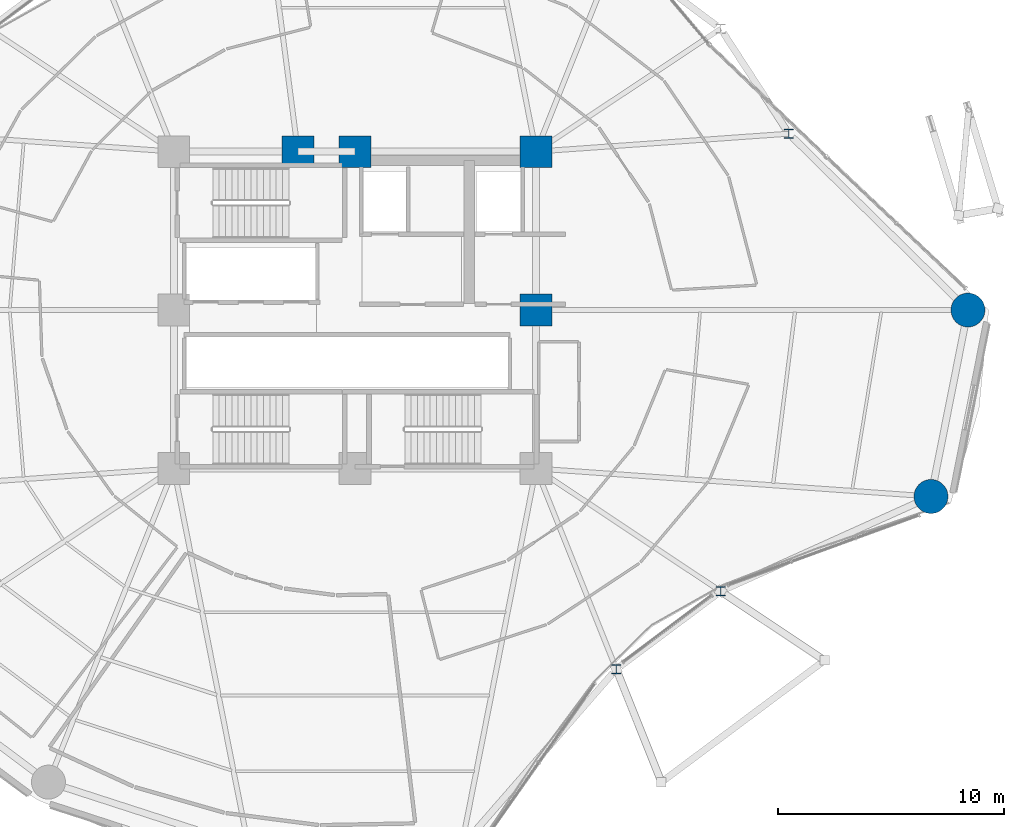
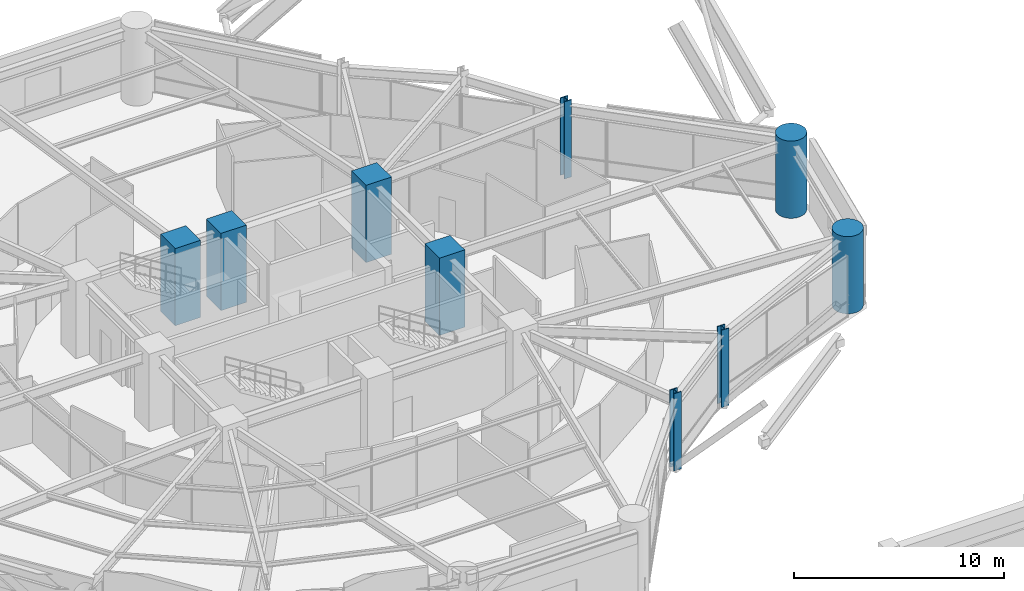
# One storey, part 2 of 55: 9 columns.
"""IFC4 building model written with IfcOpenShell, lengths in metres."""

from ifc_helpers import new_model, si_unit, direction, frame, origin, origin_2d, place, context, subcontext, project, spatial, rectangle, circle, i_section, extrude, material, material_profile, profile_set, type_object, element, save


model = new_model("IFC4")

# Units and contexts
model_context = context("Model", 3, precision=1e-05, world=origin(), true_north=direction((0.0, 1.0)))
body_context = subcontext(model_context, "Body", "Model", "MODEL_VIEW")
ifc_project = project(units=[si_unit("LENGTHUNIT", "METRE"), si_unit("AREAUNIT", "SQUARE_METRE"), si_unit("VOLUMEUNIT", "CUBIC_METRE"), si_unit("PLANEANGLEUNIT", "RADIAN"), si_unit("MASSUNIT", "GRAM", prefix="KILO")], contexts=[model_context])

# Site, building, storey
site_placement = place(None, origin())
site = spatial("IfcSite", under=ifc_project, at=site_placement, CompositionType="ELEMENT")
building_placement = place(site_placement, origin())
building = spatial("IfcBuilding", under=site, at=building_placement, Name="Kelanora Arch Commons", CompositionType="ELEMENT")
storey_placement = place(building_placement, frame((0.0, 0.0, 4.5)))
storey = spatial("IfcBuildingStorey", under=building, at=storey_placement, Name="L01", CompositionType="ELEMENT", Elevation=4.5)

# Columns
ifc_material_1 = material(Name="Concrete C60/75", Category="concrete")
ifc_material_profile_1 = material_profile(ifc_material_1, circle(Radius=0.75, at=origin_2d()), Name="RCC1500")
ifc_profile_set_1 = profile_set([ifc_material_profile_1], Name="Concrete C60/75")
column_type_1 = type_object("IfcColumnType", Name="COL-PERIM-Z1", PredefinedType="COLUMN", material=ifc_profile_set_1)
for number, where, z_axis, x_axis, name in (
    (1, (101.080078125, 58.0, 0.0), (0.0, 0.0, 1.0), (1.0, 0.0, 0.0), "Perimeter Ring Column CP-00 L01"),
    (2, (99.447021484375, 49.76416015625, 0.0), (0.0, 0.0, 1.0), (1.0, 0.0, 0.0), "Perimeter Ring Column CP-34 L01"),
):
    element("IfcColumn", number, at=place(storey_placement, frame(where, z_axis=z_axis, x_axis=x_axis)), inside=storey, type_object=column_type_1, Name=name, PredefinedType="COLUMN", context=body_context, shape_type="SweptSolid", body=[
        extrude(circle(Radius=0.75, at=origin_2d()), origin(), (0.0, 0.0, 1.0), 4.5),
    ])
ifc_material_profile_2 = material_profile(ifc_material_1, rectangle(XDim=1.39990234375, YDim=1.39990234375, at=origin_2d()), Name="RC1400x1400")
ifc_profile_set_2 = profile_set([ifc_material_profile_2], Name="Concrete C60/75")
column_type_2 = type_object("IfcColumnType", Name="COL-PIL-LOW", PredefinedType="PILASTER", material=ifc_profile_set_2)
for number, where, z_axis, x_axis, name in (
    (3, (82.0, 58.0, 0.0), (0.0, 0.0, 1.0), (1.0, 0.0, 0.0), "Core Pilaster Column CP4 L01"),
    (4, (82.0, 65.0, 0.0), (0.0, 0.0, 1.0), (1.0, 0.0, 0.0), "Core Pilaster Column CP5 L01"),
    (5, (74.0, 65.0, 0.0), (0.0, 0.0, 1.0), (1.0, 0.0, 0.0), "Core Pilaster Column CP6 L01"),
    (6, (71.47998046875, 65.0, 0.0), (0.0, 0.0, 1.0), (1.0, 0.0, 0.0), "Core Pilaster Column CP9 L01"),
):
    element("IfcColumn", number, at=place(storey_placement, frame(where, z_axis=z_axis, x_axis=x_axis)), inside=storey, type_object=column_type_2, Name=name, PredefinedType="PILASTER", context=body_context, shape_type="SweptSolid", body=[
        extrude(rectangle(XDim=1.39990234375, YDim=1.39990234375, at=origin_2d()), origin(), (0.0, 0.0, 1.0), 4.5),
    ])
ifc_material_2 = material(Name="Steel S355", Category="steel")
ifc_material_profile_3 = material_profile(ifc_material_2, i_section(OverallWidth=0.406005859375, OverallDepth=0.416015625, WebThickness=0.029052734375, FlangeThickness=0.048095703125, FilletRadius=0.014892578125, at=origin_2d()), Name="HD400x382")
ifc_profile_set_3 = profile_set([ifc_material_profile_3], Name="Steel S355")
column_type_3 = type_object("IfcColumnType", Name="COL-PORCH", PredefinedType="COLUMN", material=ifc_profile_set_3)
for number, where, z_axis, x_axis, name in (
    (7, (93.166015625, 65.791015625, 0.0), (0.0, 0.0, 1.0), (1.0, 0.0, 0.0), "Recessed Arch Portal Column CAP-02 L01"),
    (8, (85.545654296875, 42.133544921875, 0.0), (0.0, 0.0, 1.0), (1.0, 0.0, 0.0), "Recessed Courtyard Column CCC-30 L01"),
    (9, (90.156494140625, 45.573974609375, 0.0), (0.0, 0.0, 1.0), (1.0, 0.0, 0.0), "Recessed Courtyard Column CCC-32 L01"),
):
    element("IfcColumn", number, at=place(storey_placement, frame(where, z_axis=z_axis, x_axis=x_axis)), inside=storey, type_object=column_type_3, Name=name, PredefinedType="COLUMN", context=body_context, shape_type="SweptSolid", body=[
        extrude(i_section(OverallWidth=0.406005859375, OverallDepth=0.416015625, WebThickness=0.029052734375, FlangeThickness=0.048095703125, FilletRadius=0.014892578125, at=origin_2d()), origin(), (0.0, 0.0, 1.0), 4.5),
    ])

save(model, "model.ifc")
